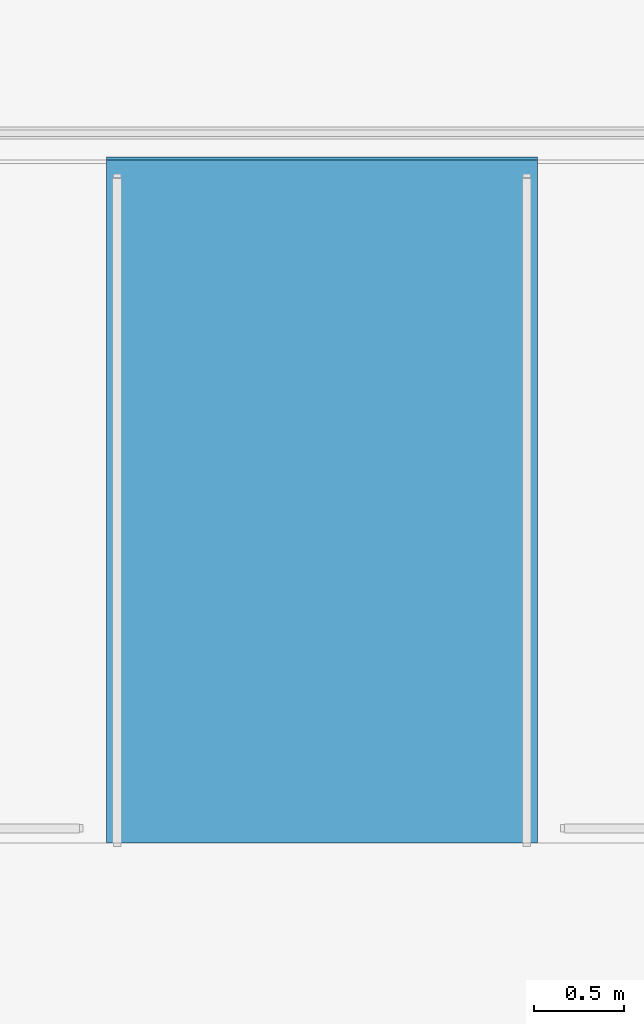
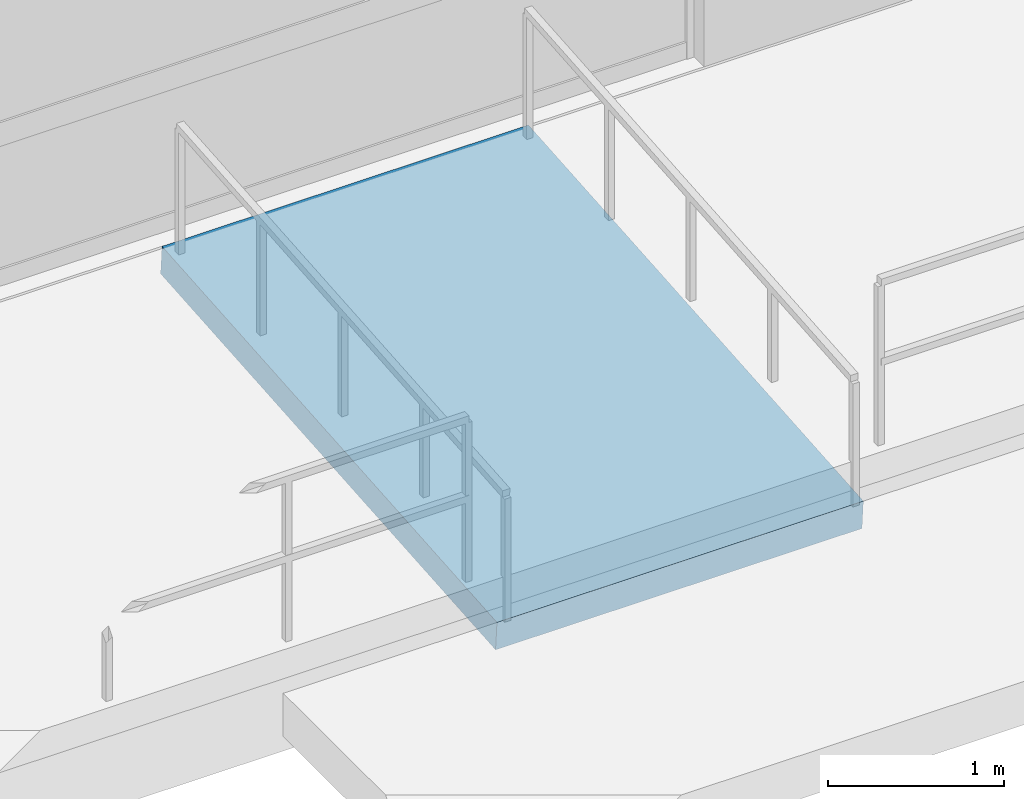
# One storey, part 13 of 17: 1 ramp flight, 1 element without a shape of its own.
"""IFC4 building model written with IfcOpenShell, lengths in metres."""

from ifc_helpers import new_model, si_unit, direction, frame, origin, place, context, subcontext, project, spatial, polyline, outline, extrude, material, layer, layer_set, type_object, element, aggregate, save


model = new_model("IFC4")

# Units and contexts
model_context = context("Model", 3, precision=1e-05, world=origin(), true_north=direction((0.0, 1.0)))
body_context = subcontext(model_context, "Body", "Model", "MODEL_VIEW")
ifc_project = project(units=[si_unit("LENGTHUNIT", "METRE"), si_unit("AREAUNIT", "SQUARE_METRE"), si_unit("VOLUMEUNIT", "CUBIC_METRE"), si_unit("PLANEANGLEUNIT", "RADIAN"), si_unit("MASSUNIT", "GRAM", prefix="KILO")], contexts=[model_context])

# Site, building, storey
site_placement = place(None, origin())
site = spatial("IfcSite", under=ifc_project, at=site_placement, CompositionType="ELEMENT")
building_placement = place(site_placement, origin())
building = spatial("IfcBuilding", under=site, at=building_placement, Name="Varnel Quay Broadcast Tower", CompositionType="ELEMENT")
storey_placement = place(building_placement, origin())
storey = spatial("IfcBuildingStorey", under=building, at=storey_placement, Name="L00", CompositionType="ELEMENT", Elevation=0.0)

# Ramp, ramp flight
ifc_material = material(Name="Concrete CSA A23.3 C40/50", Category="concrete")
ramp_type = type_object("IfcRampType", Name="Ramp_Promenade", PredefinedType="STRAIGHT_RUN_RAMP", material=ifc_material)
ramp_placement = place(storey_placement, origin())
ramp = element("IfcRamp", 1, at=ramp_placement, inside=storey, type_object=ramp_type, Name="Waterfront Promenade Step-Free Ramp", PredefinedType="STRAIGHT_RUN_RAMP")
ifc_layer = layer(ifc_material, 0.25, Name="Concrete CSA A23.3 C40/50")
ifc_layer_set = layer_set([ifc_layer], Name="Concrete CSA A23.3 C40/50")
ramp_flight_type = type_object("IfcRampFlightType", Name="RampFlight_Concrete", PredefinedType="STRAIGHT", material=ifc_layer_set)
ramp_flight_placement = place(storey_placement, frame((24.39990234375, -3.800048828125, -0.300048828125), z_axis=(0.0, -0.078714210534, 0.996897222917), x_axis=(1.0, 0.0, 0.0)))
ramp_flight = element("IfcRampFlight", 2, at=ramp_flight_placement, type_object=ramp_flight_type, Name="Waterfront Promenade Step-Free Ramp Flight", PredefinedType="STRAIGHT", context=body_context, shape_type="SweptSolid", body=[
    extrude(outline(polyline([(0.0, 0.0), (0.60009765625, 0.0), (1.2001953125, 0.0), (1.800048828125, 0.0), (2.400146484375, 0.0), (2.400146484375, 3.811876230335053), (1.800048828125, 3.811876230335053), (1.2001953125, 3.811876230335053), (0.60009765625, 3.811876230335053), (0.0, 3.811876230335053), (0.0, 0.0)])), origin(), (0.0, 0.0, -1.0), 0.199951171875),
])
aggregate(ramp, [ramp_flight])

save(model, "model.ifc")
